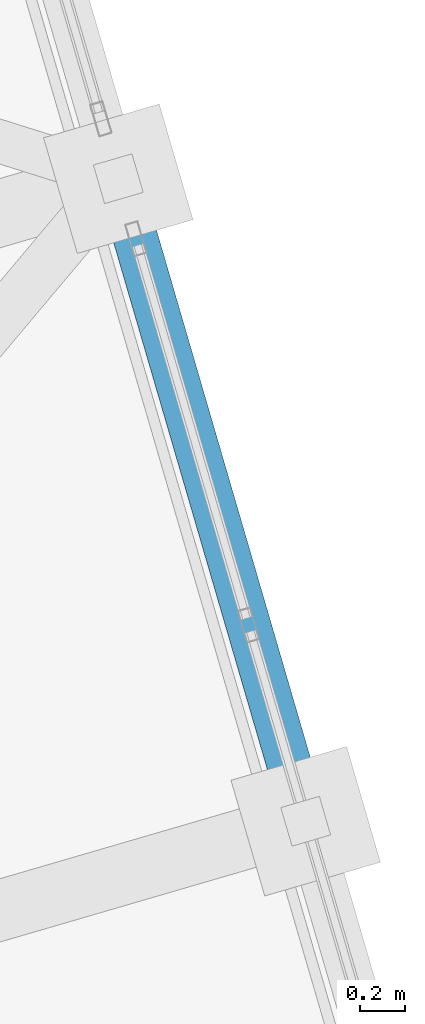
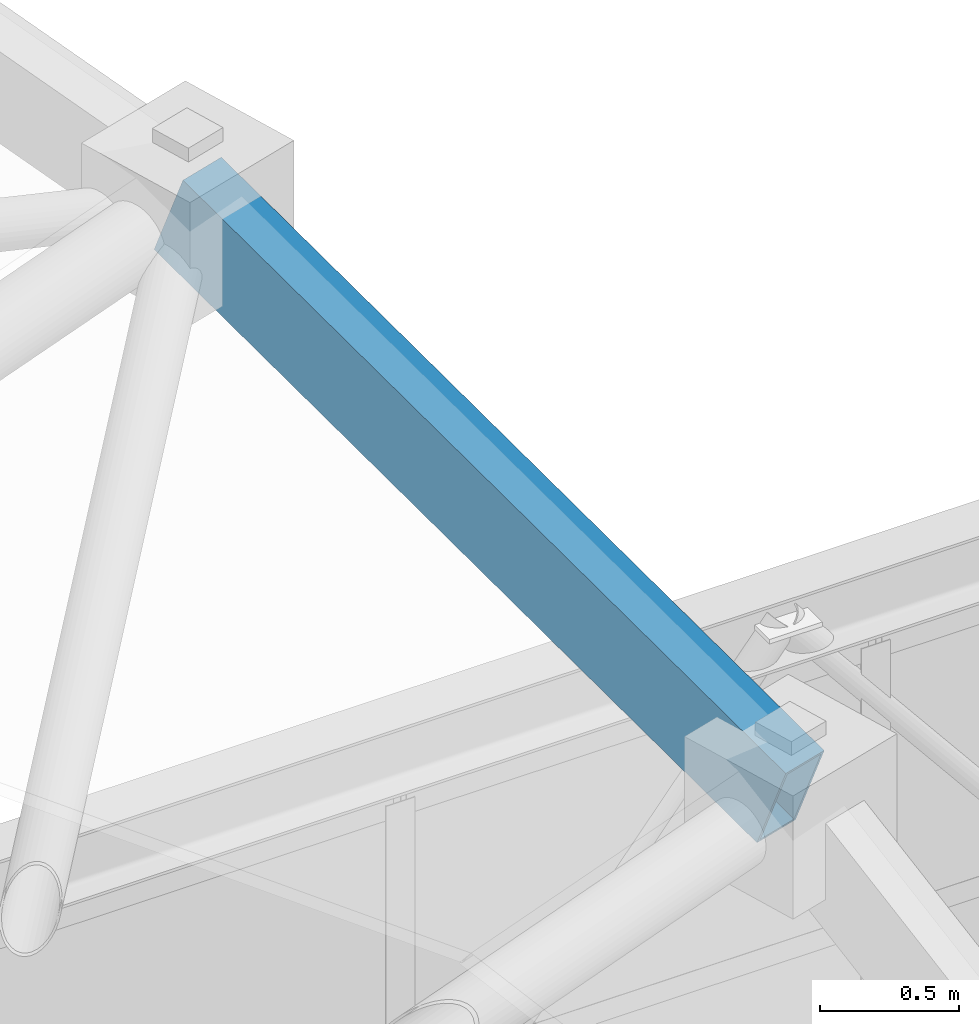
# One storey, part 83 of 248: 1 beam.
"""IFC4 building model written with IfcOpenShell, lengths in metres."""

from ifc_helpers import new_model, si_unit, direction, frame, origin, origin_2d, place, context, subcontext, project, spatial, hollow_rectangle, extrude, material, material_profile, profile_set, type_object, element, save


model = new_model("IFC4")

# Units and contexts
model_context = context("Model", 3, precision=1e-05, world=origin(), true_north=direction((0.0, 1.0)))
body_context = subcontext(model_context, "Body", "Model", "MODEL_VIEW")
ifc_project = project(units=[si_unit("LENGTHUNIT", "METRE"), si_unit("AREAUNIT", "SQUARE_METRE"), si_unit("VOLUMEUNIT", "CUBIC_METRE"), si_unit("PLANEANGLEUNIT", "RADIAN"), si_unit("MASSUNIT", "GRAM", prefix="KILO")], contexts=[model_context])

# Site, building, storey
site_placement = place(None, origin())
site = spatial("IfcSite", under=ifc_project, at=site_placement, CompositionType="ELEMENT")
building_placement = place(site_placement, origin())
building = spatial("IfcBuilding", under=site, at=building_placement, Name="Canggui Botanical Conservatory", CompositionType="ELEMENT")
storey_placement = place(building_placement, frame((0.0, 0.0, 5.39990234375)))
storey = spatial("IfcBuildingStorey", under=building, at=storey_placement, Name="L02", CompositionType="ELEMENT", Elevation=5.39990234375)

# Beam
ifc_material = material(Name="Steel Q355C", Category="steel")
ifc_material_profile = material_profile(ifc_material, hollow_rectangle(XDim=0.199951171875, YDim=0.39990234375, WallThickness=0.011962890625, at=origin_2d()), Name="RHS 200x400x12")
ifc_profile_set = profile_set([ifc_material_profile], Name="Steel Q355C")
beam_type = type_object("IfcBeamType", Name="BM-GJ04", PredefinedType="BEAM", material=ifc_profile_set)
beam_placement = place(storey_placement, frame((69.320068359375, 65.760009765625, 15.26416015625), z_axis=(-0.261428866307, 0.896197299318, 0.358448529856), x_axis=(-0.959989061447, -0.280037500885, 0.0)))
element("IfcBeam", 1, at=beam_placement, inside=storey, type_object=beam_type, Name="Conservatory Stepped-Arch Rib GJ-15 Segment 4", PredefinedType="BEAM", context=body_context, shape_type="SweptSolid", body=[
    extrude(hollow_rectangle(XDim=0.199951171875, YDim=0.39990234375, WallThickness=0.011962890625, at=origin_2d()), origin(), (0.0, 0.0, 1.0), 3.21337890625),
])

save(model, "model.ifc")
